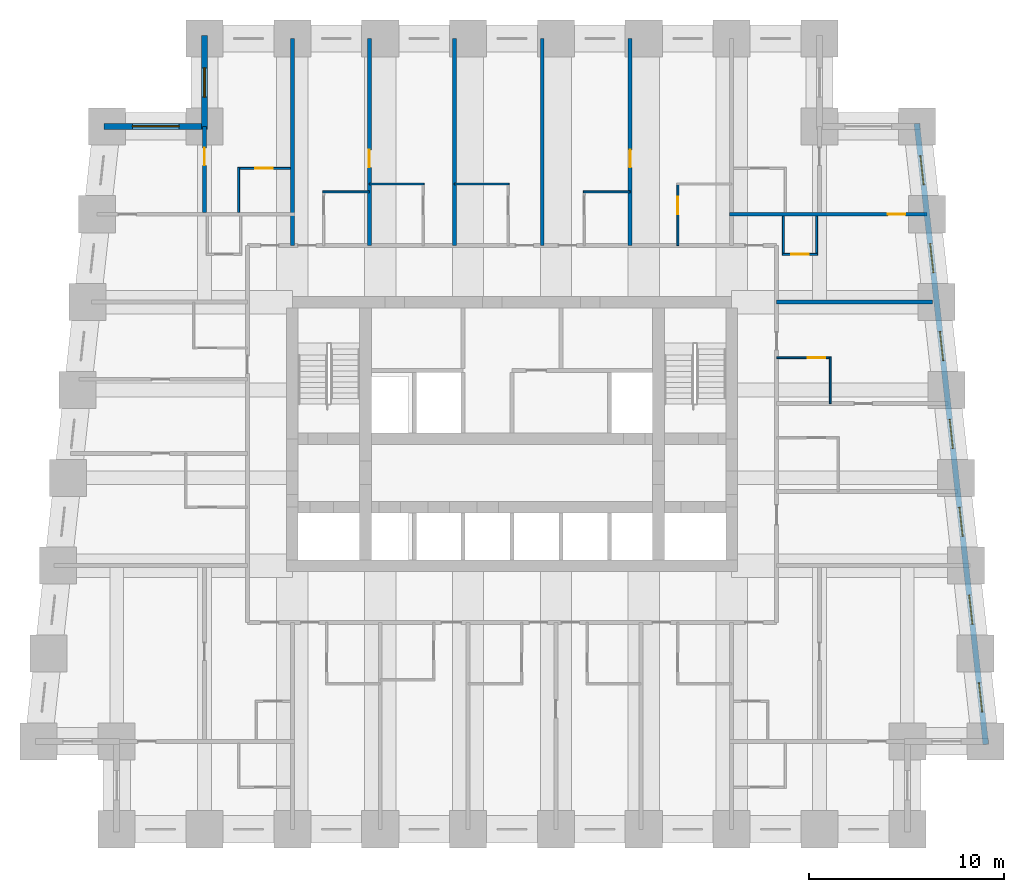
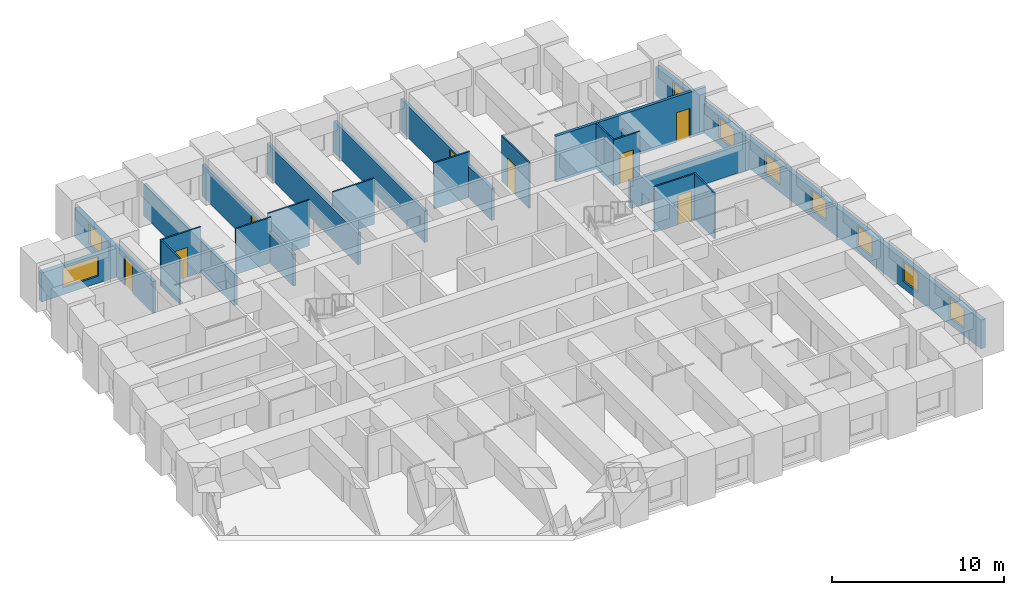
# One storey, part 6 of 8: 23 walls, 9 windows, 8 doors, 17 openings.
"""IFC4 building model written with IfcOpenShell, lengths in metres."""

from ifc_helpers import new_model, si_unit, direction, frame, frame_2d, origin, place, context, subcontext, project, spatial, rectangle, extrude, material, layer, layer_set, type_object, element, fill, save


model = new_model("IFC4")

# Units and contexts
model_context = context("Model", 3, precision=1e-05, world=origin(), true_north=direction((0.0, 1.0)))
body_context = subcontext(model_context, "Body", "Model", "MODEL_VIEW")
ifc_project = project(units=[si_unit("LENGTHUNIT", "METRE"), si_unit("AREAUNIT", "SQUARE_METRE"), si_unit("VOLUMEUNIT", "CUBIC_METRE"), si_unit("PLANEANGLEUNIT", "RADIAN"), si_unit("MASSUNIT", "GRAM", prefix="KILO")], contexts=[model_context])

# Site, building, storey
site_placement = place(None, origin())
site = spatial("IfcSite", under=ifc_project, at=site_placement, CompositionType="ELEMENT")
building_placement = place(site_placement, origin())
building = spatial("IfcBuilding", under=site, at=building_placement, Name="Kilele Tower Hotel", CompositionType="ELEMENT")
storey_placement = place(building_placement, frame((0.0, 0.0, 61.199951171875)))
storey = spatial("IfcBuildingStorey", under=building, at=storey_placement, Name="L14", CompositionType="ELEMENT", Elevation=61.199951171875)

# Wall
ifc_material_1 = material(Name="Moisture-resistant board")
ifc_layer_1 = layer(ifc_material_1, 0.10009765625)
ifc_layer_set_1 = layer_set([ifc_layer_1], Name="Moisture-resistant board")
wall_type_1 = type_object("IfcWallType", Name="Bathroom partition 100", PredefinedType="PLUMBINGWALL", material=ifc_layer_set_1)
wall_1_placement = place(storey_placement, frame((41.050048828125, 21.800048828125, 0.0), z_axis=(0.0, 0.0, 1.0), x_axis=(0.0, 1.0, 0.0)))
element("IfcWall", 1, at=wall_1_placement, inside=storey, type_object=wall_type_1, Name="Bathroom partition 100 L14", PredefinedType="PLUMBINGWALL", context=body_context, shape_type="SweptSolid", body=[
    extrude(rectangle(XDim=2.39990234375, YDim=0.10009765625, at=frame_2d((1.199951171875, 0.0))), origin(), (0.0, 0.0, 1.0), 3.25),
])

# Wall, opening, door
wall_2_placement = place(storey_placement, frame((38.300048828125, 24.14990234375, 0.0), z_axis=(0.0, 0.0, 1.0), x_axis=(1.0, 0.0, 0.0)))
wall_2 = element("IfcWall", 2, at=wall_2_placement, inside=storey, type_object=wall_type_1, Name="Bathroom partition 100 L14", PredefinedType="PLUMBINGWALL", context=body_context, shape_type="SweptSolid", body=[
    extrude(rectangle(XDim=2.800048828125, YDim=0.10009765625, at=frame_2d((1.39990234375, 0.0))), origin(), (0.0, 0.0, 1.0), 3.25),
])
opening_1_placement = place(wall_2_placement, frame((1.60009765625, 0.0, 0.0)))
opening_1 = element("IfcOpeningElement", 3, at=opening_1_placement, cuts=wall_2, Name="Opening D2A", PredefinedType="OPENING", context=body_context, shape_type="SweptSolid", body=[
    extrude(rectangle(XDim=0.89990234375, YDim=2.10009765625, at=frame_2d((0.449951171875, 1.050048828125))), frame((0.0, 0.06005859375, 0.0), z_axis=(0.0, -1.0, 0.0), x_axis=(1.0, 0.0, 0.0)), (0.0, 0.0, 1.0), 0.1201171875),
])
ifc_material_2 = material(Name="Timber door leaf in hardwood frame", Category="wood")
door_type_1 = type_object("IfcDoorType", Name="Bathroom door 900", OperationType="SINGLE_SWING_LEFT", PredefinedType="DOOR", material=ifc_material_2)
door_1_placement = place(opening_1_placement, origin())
door_1 = element("IfcDoor", 4, at=door_1_placement, inside=storey, type_object=door_type_1, Name="Bathroom door 1408B", OperationType="SINGLE_SWING_LEFT", OverallHeight=2.10009765625, OverallWidth=0.89990234375, PredefinedType="DOOR", context=body_context, shape_type="SweptSolid", body=[
    extrude(rectangle(XDim=0.89990234375, YDim=2.10009765625, at=frame_2d((0.449951171875, 1.050048828125))), frame((0.0, 0.02490234375, 0.0), z_axis=(0.0, -1.0, 0.0), x_axis=(1.0, 0.0, 0.0)), (0.0, 0.0, 1.0), 0.050048828125),
])
fill(opening_1, door_1)

# Walls
wall_3_placement = place(storey_placement, frame((15.050048828125, 32.64990234375, 0.0), z_axis=(0.0, 0.0, 1.0), x_axis=(1.0, 0.0, 0.0)))
element("IfcWall", 5, at=wall_3_placement, inside=storey, type_object=wall_type_1, Name="Bathroom partition 100 L14", PredefinedType="PLUMBINGWALL", context=body_context, shape_type="SweptSolid", body=[
    extrude(rectangle(XDim=2.39990234375, YDim=0.10009765625, at=frame_2d((1.199951171875, 0.0))), origin(), (0.0, 0.0, 1.0), 3.25),
])
for number, where, z_axis, x_axis, name in (
    (6, (17.449951171875, 33.050048828125, 0.0), (0.0, 0.0, 1.0), (1.0, 0.0, 0.0), "Bathroom partition 100 L14"),
    (7, (21.800048828125, 33.050048828125, 0.0), (0.0, 0.0, 1.0), (1.0, 0.0, 0.0), "Bathroom partition 100 L14"),
):
    element("IfcWall", number, at=place(storey_placement, frame(where, z_axis=z_axis, x_axis=x_axis)), inside=storey, type_object=wall_type_1, Name=name, PredefinedType="PLUMBINGWALL", context=body_context, shape_type="SweptSolid", body=[
        extrude(rectangle(XDim=2.800048828125, YDim=0.10009765625, at=frame_2d((1.39990234375, 0.0))), origin(), (0.0, 0.0, 1.0), 3.25),
    ])
wall_4_placement = place(storey_placement, frame((28.39990234375, 32.64990234375, 0.0), z_axis=(0.0, 0.0, 1.0), x_axis=(1.0, 0.0, 0.0)))
element("IfcWall", 8, at=wall_4_placement, inside=storey, type_object=wall_type_1, Name="Bathroom partition 100 L14", PredefinedType="PLUMBINGWALL", context=body_context, shape_type="SweptSolid", body=[
    extrude(rectangle(XDim=2.400146484375, YDim=0.10009765625, at=frame_2d((1.2001953125, 0.0))), origin(), (0.0, 0.0, 1.0), 3.25),
])

# Wall, opening, door
wall_5_placement = place(storey_placement, frame((33.25, 29.89990234375, 0.0), z_axis=(0.0, 0.0, 1.0), x_axis=(0.0, 1.0, 0.0)))
wall_5 = element("IfcWall", 9, at=wall_5_placement, inside=storey, type_object=wall_type_1, Name="Bathroom partition 100 L14", PredefinedType="PLUMBINGWALL", context=body_context, shape_type="SweptSolid", body=[
    extrude(rectangle(XDim=3.2001953125, YDim=0.10009765625, at=frame_2d((1.60009765625, 0.0))), origin(), (0.0, 0.0, 1.0), 3.25),
])
opening_2_placement = place(wall_5_placement, frame((1.60009765625, 0.0, 0.0)))
opening_2 = element("IfcOpeningElement", 10, at=opening_2_placement, cuts=wall_5, Name="Opening D2A", PredefinedType="OPENING", context=body_context, shape_type="SweptSolid", body=[
    extrude(rectangle(XDim=0.89990234375, YDim=2.10009765625, at=frame_2d((0.449951171875, 1.050048828125))), frame((0.0, 0.06005859375, 0.0), z_axis=(0.0, -1.0, 0.0), x_axis=(1.0, 0.0, 0.0)), (0.0, 0.0, 1.0), 0.1201171875),
])
door_2_placement = place(opening_2_placement, origin())
door_2 = element("IfcDoor", 11, at=door_2_placement, inside=storey, type_object=door_type_1, Name="Bathroom door 1413B", OperationType="SINGLE_SWING_LEFT", OverallHeight=2.10009765625, OverallWidth=0.89990234375, PredefinedType="DOOR", context=body_context, shape_type="SweptSolid", body=[
    extrude(rectangle(XDim=0.89990234375, YDim=2.10009765625, at=frame_2d((0.449951171875, 1.050048828125))), frame((0.0, 0.02490234375, 0.0), z_axis=(0.0, -1.0, 0.0), x_axis=(1.0, 0.0, 0.0)), (0.0, 0.0, 1.0), 0.050048828125),
])
fill(opening_2, door_2)

# Walls
wall_6_placement = place(storey_placement, frame((40.35009765625, 31.39990234375, 0.0), z_axis=(0.0, 0.0, 1.0), x_axis=(0.0, -1.0, 0.0)))
element("IfcWall", 12, at=wall_6_placement, inside=storey, type_object=wall_type_1, Name="Bathroom partition 100 L14", PredefinedType="PLUMBINGWALL", context=body_context, shape_type="SweptSolid", body=[
    extrude(rectangle(XDim=2.0, YDim=0.10009765625, at=frame_2d((1.0, 0.0))), origin(), (0.0, 0.0, 1.0), 2.25),
])
wall_7_placement = place(storey_placement, frame((38.64990234375, 31.39990234375, 0.0), z_axis=(0.0, 0.0, 1.0), x_axis=(0.0, -1.0, 0.0)))
element("IfcWall", 13, at=wall_7_placement, inside=storey, type_object=wall_type_1, Name="Bathroom partition 100 L14", PredefinedType="PLUMBINGWALL", context=body_context, shape_type="SweptSolid", body=[
    extrude(rectangle(XDim=2.0, YDim=0.10009765625, at=frame_2d((1.0, 0.0))), origin(), (0.0, 0.0, 1.0), 3.25),
])

# Wall, opening, door
wall_8_placement = place(storey_placement, frame((38.60009765625, 29.449951171875, 0.0), z_axis=(0.0, 0.0, 1.0), x_axis=(1.0, 0.0, 0.0)))
wall_8 = element("IfcWall", 14, at=wall_8_placement, inside=storey, type_object=wall_type_1, Name="Bathroom partition 100 L14", PredefinedType="PLUMBINGWALL", context=body_context, shape_type="SweptSolid", body=[
    extrude(rectangle(XDim=1.7998046875, YDim=0.10009765625, at=frame_2d((0.89990234375, 0.0))), origin(), (0.0, 0.0, 1.0), 3.25),
])
opening_3_placement = place(wall_8_placement, frame((1.349853515625, 0.0, 0.0), z_axis=(0.0, 0.0, 1.0), x_axis=(-1.0, 0.0, 0.0)))
opening_3 = element("IfcOpeningElement", 15, at=opening_3_placement, cuts=wall_8, Name="Opening D2A", PredefinedType="OPENING", context=body_context, shape_type="SweptSolid", body=[
    extrude(rectangle(XDim=0.89990234375, YDim=2.10009765625, at=frame_2d((0.449951171875, 1.050048828125))), frame((0.0, 0.06005859375, 0.0), z_axis=(0.0, -1.0, 0.0), x_axis=(1.0, 0.0, 0.0)), (0.0, 0.0, 1.0), 0.1201171875),
])
door_3_placement = place(opening_3_placement, origin())
door_3 = element("IfcDoor", 16, at=door_3_placement, inside=storey, type_object=door_type_1, Name="Bathroom door 1423P", OperationType="SINGLE_SWING_RIGHT", OverallHeight=2.10009765625, OverallWidth=0.89990234375, PredefinedType="DOOR", context=body_context, shape_type="SweptSolid", body=[
    extrude(rectangle(XDim=0.89990234375, YDim=2.10009765625, at=frame_2d((0.449951171875, 1.050048828125))), frame((0.0, 0.02490234375, 0.0), z_axis=(0.0, -1.0, 0.0), x_axis=(1.0, 0.0, 0.0)), (0.0, 0.0, 1.0), 0.050048828125),
])
fill(opening_3, door_3)

# Wall
wall_9_placement = place(storey_placement, frame((10.75, 31.60009765625, 0.0), z_axis=(0.0, 0.0, 1.0), x_axis=(0.0, 1.0, 0.0)))
element("IfcWall", 17, at=wall_9_placement, inside=storey, type_object=wall_type_1, Name="Bathroom partition 100 L14", PredefinedType="PLUMBINGWALL", context=body_context, shape_type="SweptSolid", body=[
    extrude(rectangle(XDim=2.2998046875, YDim=0.10009765625, at=frame_2d((1.14990234375, 0.0))), origin(), (0.0, 0.0, 1.0), 3.25),
])

# Wall, opening, door
wall_10_placement = place(storey_placement, frame((13.39990234375, 33.85009765625, 0.0), z_axis=(0.0, 0.0, 1.0), x_axis=(-1.0, 0.0, 0.0)))
wall_10 = element("IfcWall", 18, at=wall_10_placement, inside=storey, type_object=wall_type_1, Name="Bathroom partition 100 L14", PredefinedType="PLUMBINGWALL", context=body_context, shape_type="SweptSolid", body=[
    extrude(rectangle(XDim=2.699951171875, YDim=0.10009765625, at=frame_2d((1.35009765625, 0.0))), origin(), (0.0, 0.0, 1.0), 3.25),
])
opening_4_placement = place(wall_10_placement, frame((1.7998046875, 0.0, 0.0), z_axis=(0.0, 0.0, 1.0), x_axis=(-1.0, 0.0, 0.0)))
opening_4 = element("IfcOpeningElement", 19, at=opening_4_placement, cuts=wall_10, Name="Opening D2A", PredefinedType="OPENING", context=body_context, shape_type="SweptSolid", body=[
    extrude(rectangle(XDim=0.89990234375, YDim=2.10009765625, at=frame_2d((0.449951171875, 1.050048828125))), frame((0.0, 0.06005859375, 0.0), z_axis=(0.0, -1.0, 0.0), x_axis=(1.0, 0.0, 0.0)), (0.0, 0.0, 1.0), 0.1201171875),
])
door_4_placement = place(opening_4_placement, origin())
door_4 = element("IfcDoor", 20, at=door_4_placement, inside=storey, type_object=door_type_1, Name="Bathroom door 1427B", OperationType="SINGLE_SWING_RIGHT", OverallHeight=2.10009765625, OverallWidth=0.89990234375, PredefinedType="DOOR", context=body_context, shape_type="SweptSolid", body=[
    extrude(rectangle(XDim=0.89990234375, YDim=2.10009765625, at=frame_2d((0.449951171875, 1.050048828125))), frame((0.0, 0.02490234375, 0.0), z_axis=(0.0, -1.0, 0.0), x_axis=(1.0, 0.0, 0.0)), (0.0, 0.0, 1.0), 0.050048828125),
])
fill(opening_4, door_4)

ifc_material_3 = material(Name="Blockwork, plastered both sides", Category="masonry")
ifc_layer_2 = layer(ifc_material_3, 0.199951171875)
ifc_layer_set_2 = layer_set([ifc_layer_2], Name="Blockwork, plastered both sides")
wall_type_2 = type_object("IfcWallType", Name="Partition wall 200", PredefinedType="PARTITIONING", material=ifc_layer_set_2)
wall_11_placement = place(storey_placement, frame((9.0, 31.60009765625, 0.0), z_axis=(0.0, 0.0, 1.0), x_axis=(0.0, 1.0, 0.0)))
wall_11 = element("IfcWall", 21, at=wall_11_placement, inside=storey, type_object=wall_type_2, Name="Partition wall 200 L14", PredefinedType="PARTITIONING", context=body_context, shape_type="SweptSolid", body=[
    extrude(rectangle(XDim=4.39990234375, YDim=0.199951171875, at=frame_2d((2.199951171875, 0.0))), origin(), (0.0, 0.0, 1.0), 2.25),
])
opening_5_placement = place(wall_11_placement, frame((2.39990234375, 0.0, 0.0)))
opening_5 = element("IfcOpeningElement", 22, at=opening_5_placement, cuts=wall_11, Name="Opening D3", PredefinedType="OPENING", context=body_context, shape_type="SweptSolid", body=[
    extrude(rectangle(XDim=0.89990234375, YDim=2.10009765625, at=frame_2d((0.449951171875, 1.050048828125))), frame((0.0, 0.10986328125, 0.0), z_axis=(0.0, -1.0, 0.0), x_axis=(1.0, 0.0, 0.0)), (0.0, 0.0, 1.0), 0.219970703125),
])
ifc_material_4 = material(Name="Timber door leaf in hardwood frame", Category="wood")
door_type_2 = type_object("IfcDoorType", Name="Suite internal door 900", OperationType="SINGLE_SWING_LEFT", PredefinedType="DOOR", material=ifc_material_4)
door_5_placement = place(opening_5_placement, origin())
door_5 = element("IfcDoor", 23, at=door_5_placement, inside=storey, type_object=door_type_2, Name="Suite door 1428", OperationType="SINGLE_SWING_RIGHT", OverallHeight=2.10009765625, OverallWidth=0.89990234375, PredefinedType="DOOR", context=body_context, shape_type="SweptSolid", body=[
    extrude(rectangle(XDim=0.89990234375, YDim=2.10009765625, at=frame_2d((0.449951171875, 1.050048828125))), frame((0.0, 0.02490234375, 0.0), z_axis=(0.0, -1.0, 0.0), x_axis=(1.0, 0.0, 0.0)), (0.0, 0.0, 1.0), 0.050048828125),
])
fill(opening_5, door_5)

ifc_material_5 = material(Name="Blockwork, plastered both sides", Category="masonry")
ifc_layer_3 = layer(ifc_material_5, 0.199951171875)
ifc_layer_set_3 = layer_set([ifc_layer_3], Name="Blockwork, plastered both sides")
wall_type_3 = type_object("IfcWallType", Name="Party wall 200", PredefinedType="PARTITIONING", material=ifc_layer_set_3)
wall_12_placement = place(storey_placement, frame((17.449951171875, 29.89990234375, 0.0), z_axis=(0.0, 0.0, 1.0), x_axis=(0.0, 1.0, 0.0)))
wall_12 = element("IfcWall", 24, at=wall_12_placement, inside=storey, type_object=wall_type_3, Name="Party wall 200 L14", PredefinedType="PARTITIONING", context=body_context, shape_type="SweptSolid", body=[
    extrude(rectangle(XDim=10.60009765625, YDim=0.199951171875, at=frame_2d((5.300048828125, 0.0))), origin(), (0.0, 0.0, 1.0), 2.25),
])
opening_6_placement = place(wall_12_placement, frame((4.89990234375, 0.0, 0.0), z_axis=(0.0, 0.0, 1.0), x_axis=(-1.0, 0.0, 0.0)))
opening_6 = element("IfcOpeningElement", 25, at=opening_6_placement, cuts=wall_12, Name="Opening D3", PredefinedType="OPENING", context=body_context, shape_type="SweptSolid", body=[
    extrude(rectangle(XDim=0.89990234375, YDim=2.10009765625, at=frame_2d((0.449951171875, 1.050048828125))), frame((0.0, 0.10986328125, 0.0), z_axis=(0.0, -1.0, 0.0), x_axis=(1.0, 0.0, 0.0)), (0.0, 0.0, 1.0), 0.219970703125),
])
door_6_placement = place(opening_6_placement, origin())
door_6 = element("IfcDoor", 26, at=door_6_placement, inside=storey, type_object=door_type_2, Name="Suite door 1410", OperationType="SINGLE_SWING_RIGHT", OverallHeight=2.10009765625, OverallWidth=0.89990234375, PredefinedType="DOOR", context=body_context, shape_type="SweptSolid", body=[
    extrude(rectangle(XDim=0.89990234375, YDim=2.10009765625, at=frame_2d((0.449951171875, 1.050048828125))), frame((0.0, 0.02490234375, 0.0), z_axis=(0.0, -1.0, 0.0), x_axis=(1.0, 0.0, 0.0)), (0.0, 0.0, 1.0), 0.050048828125),
])
fill(opening_6, door_6)

# Walls
for number, where, z_axis, x_axis, name in (
    (27, (21.800048828125, 29.89990234375, 0.0), (0.0, 0.0, 1.0), (0.0, 1.0, 0.0), "Party wall 200 L14"),
    (28, (26.300048828125, 29.89990234375, 0.0), (0.0, 0.0, 1.0), (0.0, 1.0, 0.0), "Party wall 200 L14"),
):
    element("IfcWall", number, at=place(storey_placement, frame(where, z_axis=z_axis, x_axis=x_axis)), inside=storey, type_object=wall_type_3, Name=name, PredefinedType="PARTITIONING", context=body_context, shape_type="SweptSolid", body=[
        extrude(rectangle(XDim=10.60009765625, YDim=0.199951171875, at=frame_2d((5.300048828125, 0.0))), origin(), (0.0, 0.0, 1.0), 2.25),
    ])

# Wall, opening, door
wall_13_placement = place(storey_placement, frame((30.800048828125, 29.89990234375, 0.0), z_axis=(0.0, 0.0, 1.0), x_axis=(0.0, 1.0, 0.0)))
wall_13 = element("IfcWall", 29, at=wall_13_placement, inside=storey, type_object=wall_type_3, Name="Party wall 200 L14", PredefinedType="PARTITIONING", context=body_context, shape_type="SweptSolid", body=[
    extrude(rectangle(XDim=10.60009765625, YDim=0.199951171875, at=frame_2d((5.300048828125, 0.0))), origin(), (0.0, 0.0, 1.0), 2.25),
])
opening_7_placement = place(wall_13_placement, frame((4.0, 0.0, 0.0)))
opening_7 = element("IfcOpeningElement", 30, at=opening_7_placement, cuts=wall_13, Name="Opening D3", PredefinedType="OPENING", context=body_context, shape_type="SweptSolid", body=[
    extrude(rectangle(XDim=0.89990234375, YDim=2.10009765625, at=frame_2d((0.449951171875, 1.050048828125))), frame((0.0, 0.10986328125, 0.0), z_axis=(0.0, -1.0, 0.0), x_axis=(1.0, 0.0, 0.0)), (0.0, 0.0, 1.0), 0.219970703125),
])
door_7_placement = place(opening_7_placement, origin())
door_7 = element("IfcDoor", 31, at=door_7_placement, inside=storey, type_object=door_type_2, Name="Suite door 1413", OperationType="SINGLE_SWING_LEFT", OverallHeight=2.10009765625, OverallWidth=0.89990234375, PredefinedType="DOOR", context=body_context, shape_type="SweptSolid", body=[
    extrude(rectangle(XDim=0.89990234375, YDim=2.10009765625, at=frame_2d((0.449951171875, 1.050048828125))), frame((0.0, 0.02490234375, 0.0), z_axis=(0.0, -1.0, 0.0), x_axis=(1.0, 0.0, 0.0)), (0.0, 0.0, 1.0), 0.050048828125),
])
fill(opening_7, door_7)

# Wall
wall_14_placement = place(storey_placement, frame((38.300048828125, 27.0, 0.0), z_axis=(0.0, 0.0, 1.0), x_axis=(1.0, 0.0, 0.0)))
element("IfcWall", 32, at=wall_14_placement, inside=storey, type_object=wall_type_3, Name="Party wall 200 L14", PredefinedType="PARTITIONING", context=body_context, shape_type="SweptSolid", body=[
    extrude(rectangle(XDim=7.976806640625, YDim=0.199951171875, at=frame_2d((3.98828125, 0.0))), origin(), (0.0, 0.0, 1.0), 1.949951171875),
])

# Wall, opening, door
wall_15_placement = place(storey_placement, frame((35.89990234375, 31.5, 0.0), z_axis=(0.0, 0.0, 1.0), x_axis=(1.0, 0.0, 0.0)))
wall_15 = element("IfcWall", 33, at=wall_15_placement, inside=storey, type_object=wall_type_3, Name="Party wall 200 L14", PredefinedType="PARTITIONING", context=body_context, shape_type="SweptSolid", body=[
    extrude(rectangle(XDim=10.09912109375, YDim=0.199951171875, at=frame_2d((5.049560546875, 0.0))), origin(), (0.0, 0.0, 1.0), 3.25),
])
opening_8_placement = place(wall_15_placement, frame((8.09912109375, 0.0, 0.0)))
opening_8 = element("IfcOpeningElement", 34, at=opening_8_placement, cuts=wall_15, Name="Opening D3", PredefinedType="OPENING", context=body_context, shape_type="SweptSolid", body=[
    extrude(rectangle(XDim=0.89990234375, YDim=2.10009765625, at=frame_2d((0.449951171875, 1.050048828125))), frame((0.0, 0.10986328125, 0.0), z_axis=(0.0, -1.0, 0.0), x_axis=(1.0, 0.0, 0.0)), (0.0, 0.0, 1.0), 0.219970703125),
])
door_8_placement = place(opening_8_placement, origin())
door_8 = element("IfcDoor", 35, at=door_8_placement, inside=storey, type_object=door_type_2, Name="Suite door 1424", OperationType="SINGLE_SWING_RIGHT", OverallHeight=2.10009765625, OverallWidth=0.89990234375, PredefinedType="DOOR", context=body_context, shape_type="SweptSolid", body=[
    extrude(rectangle(XDim=0.89990234375, YDim=2.10009765625, at=frame_2d((0.449951171875, 1.050048828125))), frame((0.0, 0.02490234375, 0.0), z_axis=(0.0, -1.0, 0.0), x_axis=(1.0, 0.0, 0.0)), (0.0, 0.0, 1.0), 0.050048828125),
])
fill(opening_8, door_8)

# Wall
wall_16_placement = place(storey_placement, frame((13.5, 29.89990234375, 0.0), z_axis=(0.0, 0.0, 1.0), x_axis=(0.0, 1.0, 0.0)))
element("IfcWall", 36, at=wall_16_placement, inside=storey, type_object=wall_type_3, Name="Party wall 200 L14", PredefinedType="PARTITIONING", context=body_context, shape_type="SweptSolid", body=[
    extrude(rectangle(XDim=10.60009765625, YDim=0.199951171875, at=frame_2d((5.300048828125, 0.0))), origin(), (0.0, 0.0, 1.0), 2.25),
])

# Wall, openings, windows
ifc_material_6 = material(Name="Concrete C40/50 precast", Category="concrete")
ifc_layer_4 = layer(ifc_material_6, 0.260009765625, Name="Precast backing", Category="LoadBearing")
ifc_material_7 = material(Name="Reconstituted stone finish", Category="masonry")
ifc_layer_5 = layer(ifc_material_7, 0.0400390625, Name="Face mix", Category="Finish")
ifc_layer_set_4 = layer_set([ifc_layer_4, ifc_layer_5], Name="Precast concrete C40/50, reconstituted stone finish")
wall_type_4 = type_object("IfcWallType", Name="Precast stone facade wall 300", PredefinedType="STANDARD", material=ifc_layer_set_4)
wall_17_placement = place(storey_placement, frame((49.0166015625, 4.350830078125, 0.0), z_axis=(0.0, 0.0, 1.0), x_axis=(-0.110433201132, 0.993883548555, 0.0)))
wall_17 = element("IfcWall", 37, at=wall_17_placement, inside=storey, type_object=wall_type_4, Name="Facade wall L14 edge 6", PredefinedType="STANDARD", context=body_context, shape_type="SweptSolid", body=[
    extrude(rectangle(XDim=31.994140625, YDim=0.300048828125, at=frame_2d((15.9970703125, 0.0))), origin(), (0.0, 0.0, 1.0), 2.050048828125),
])
opening_9_placement = place(wall_17_placement, frame((1.6640625, 0.0, 0.5)))
opening_9 = element("IfcOpeningElement", 38, at=opening_9_placement, cuts=wall_17, Name="Opening W1", PredefinedType="OPENING", context=body_context, shape_type="SweptSolid", body=[
    extrude(rectangle(XDim=1.5, YDim=1.39990234375, at=frame_2d((0.75, 0.699951171875))), frame((0.0, 0.159912109375, 0.0), z_axis=(0.0, -1.0, 0.0), x_axis=(1.0, 0.0, 0.0)), (0.0, 0.0, 1.0), 0.320068359375),
])
opening_10_placement = place(wall_17_placement, frame((6.19189453125, 0.0, 0.5)))
opening_10 = element("IfcOpeningElement", 39, at=opening_10_placement, cuts=wall_17, Name="Opening W1", PredefinedType="OPENING", context=body_context, shape_type="SweptSolid", body=[
    extrude(rectangle(XDim=1.5, YDim=1.39990234375, at=frame_2d((0.75, 0.699951171875))), frame((0.0, 0.159912109375, 0.0), z_axis=(0.0, -1.0, 0.0), x_axis=(1.0, 0.0, 0.0)), (0.0, 0.0, 1.0), 0.320068359375),
])
opening_11_placement = place(wall_17_placement, frame((10.718994140625, 0.0, 0.5)))
opening_11 = element("IfcOpeningElement", 40, at=opening_11_placement, cuts=wall_17, Name="Opening W1", PredefinedType="OPENING", context=body_context, shape_type="SweptSolid", body=[
    extrude(rectangle(XDim=1.5, YDim=1.39990234375, at=frame_2d((0.75, 0.699951171875))), frame((0.0, 0.159912109375, 0.0), z_axis=(0.0, -1.0, 0.0), x_axis=(1.0, 0.0, 0.0)), (0.0, 0.0, 1.0), 0.320068359375),
])
opening_12_placement = place(wall_17_placement, frame((15.2470703125, 0.0, 0.5)))
opening_12 = element("IfcOpeningElement", 41, at=opening_12_placement, cuts=wall_17, Name="Opening W1", PredefinedType="OPENING", context=body_context, shape_type="SweptSolid", body=[
    extrude(rectangle(XDim=1.5, YDim=1.39990234375, at=frame_2d((0.75, 0.699951171875))), frame((0.0, 0.159912109375, 0.0), z_axis=(0.0, -1.0, 0.0), x_axis=(1.0, 0.0, 0.0)), (0.0, 0.0, 1.0), 0.320068359375),
])
opening_13_placement = place(wall_17_placement, frame((19.77490234375, 0.0, 0.5)))
opening_13 = element("IfcOpeningElement", 42, at=opening_13_placement, cuts=wall_17, Name="Opening W1", PredefinedType="OPENING", context=body_context, shape_type="SweptSolid", body=[
    extrude(rectangle(XDim=1.5, YDim=1.39990234375, at=frame_2d((0.75, 0.699951171875))), frame((0.0, 0.159912109375, 0.0), z_axis=(0.0, -1.0, 0.0), x_axis=(1.0, 0.0, 0.0)), (0.0, 0.0, 1.0), 0.320068359375),
])
opening_14_placement = place(wall_17_placement, frame((24.302001953125, 0.0, 0.5)))
opening_14 = element("IfcOpeningElement", 43, at=opening_14_placement, cuts=wall_17, Name="Opening W1", PredefinedType="OPENING", context=body_context, shape_type="SweptSolid", body=[
    extrude(rectangle(XDim=1.5, YDim=1.39990234375, at=frame_2d((0.75, 0.699951171875))), frame((0.0, 0.159912109375, 0.0), z_axis=(0.0, -1.0, 0.0), x_axis=(1.0, 0.0, 0.0)), (0.0, 0.0, 1.0), 0.320068359375),
])
opening_15_placement = place(wall_17_placement, frame((28.830078125, 0.0, 0.5)))
opening_15 = element("IfcOpeningElement", 44, at=opening_15_placement, cuts=wall_17, Name="Opening W1", PredefinedType="OPENING", context=body_context, shape_type="SweptSolid", body=[
    extrude(rectangle(XDim=1.5, YDim=1.39990234375, at=frame_2d((0.75, 0.699951171875))), frame((0.0, 0.159912109375, 0.0), z_axis=(0.0, -1.0, 0.0), x_axis=(1.0, 0.0, 0.0)), (0.0, 0.0, 1.0), 0.320068359375),
])
ifc_material_8 = material(Name="Aluminium frame, clear double glazing", Category="aluminium")
window_type_1 = type_object("IfcWindowType", Name="Window W1 1500 x 1400", PartitioningType="SINGLE_PANEL", PredefinedType="WINDOW", material=ifc_material_8)
window_1_placement = place(opening_9_placement, origin())
window_1 = element("IfcWindow", 45, at=window_1_placement, inside=storey, type_object=window_type_1, Name="Window L14", OverallHeight=1.39990234375, OverallWidth=1.5, PartitioningType="SINGLE_PANEL", PredefinedType="WINDOW", context=body_context, shape_type="SweptSolid", body=[
    extrude(rectangle(XDim=1.5, YDim=1.39990234375, at=frame_2d((0.75, 0.699951171875))), frame((0.0, 0.030029296875, 0.0), z_axis=(0.0, -1.0, 0.0), x_axis=(1.0, 0.0, 0.0)), (0.0, 0.0, 1.0), 0.06005859375),
])
fill(opening_9, window_1)
window_2_placement = place(opening_10_placement, origin())
window_2 = element("IfcWindow", 46, at=window_2_placement, inside=storey, type_object=window_type_1, Name="Window L14", OverallHeight=1.39990234375, OverallWidth=1.5, PartitioningType="SINGLE_PANEL", PredefinedType="WINDOW", context=body_context, shape_type="SweptSolid", body=[
    extrude(rectangle(XDim=1.5, YDim=1.39990234375, at=frame_2d((0.75, 0.699951171875))), frame((0.0, 0.030029296875, 0.0), z_axis=(0.0, -1.0, 0.0), x_axis=(1.0, 0.0, 0.0)), (0.0, 0.0, 1.0), 0.06005859375),
])
fill(opening_10, window_2)
window_3_placement = place(opening_11_placement, origin())
window_3 = element("IfcWindow", 47, at=window_3_placement, inside=storey, type_object=window_type_1, Name="Window L14", OverallHeight=1.39990234375, OverallWidth=1.5, PartitioningType="SINGLE_PANEL", PredefinedType="WINDOW", context=body_context, shape_type="SweptSolid", body=[
    extrude(rectangle(XDim=1.5, YDim=1.39990234375, at=frame_2d((0.75, 0.699951171875))), frame((0.0, 0.030029296875, 0.0), z_axis=(0.0, -1.0, 0.0), x_axis=(1.0, 0.0, 0.0)), (0.0, 0.0, 1.0), 0.06005859375),
])
fill(opening_11, window_3)
window_4_placement = place(opening_12_placement, origin())
window_4 = element("IfcWindow", 48, at=window_4_placement, inside=storey, type_object=window_type_1, Name="Window L14", OverallHeight=1.39990234375, OverallWidth=1.5, PartitioningType="SINGLE_PANEL", PredefinedType="WINDOW", context=body_context, shape_type="SweptSolid", body=[
    extrude(rectangle(XDim=1.5, YDim=1.39990234375, at=frame_2d((0.75, 0.699951171875))), frame((0.0, 0.030029296875, 0.0), z_axis=(0.0, -1.0, 0.0), x_axis=(1.0, 0.0, 0.0)), (0.0, 0.0, 1.0), 0.06005859375),
])
fill(opening_12, window_4)
window_5_placement = place(opening_13_placement, origin())
window_5 = element("IfcWindow", 49, at=window_5_placement, inside=storey, type_object=window_type_1, Name="Window L14", OverallHeight=1.39990234375, OverallWidth=1.5, PartitioningType="SINGLE_PANEL", PredefinedType="WINDOW", context=body_context, shape_type="SweptSolid", body=[
    extrude(rectangle(XDim=1.5, YDim=1.39990234375, at=frame_2d((0.75, 0.699951171875))), frame((0.0, 0.030029296875, 0.0), z_axis=(0.0, -1.0, 0.0), x_axis=(1.0, 0.0, 0.0)), (0.0, 0.0, 1.0), 0.06005859375),
])
fill(opening_13, window_5)
window_6_placement = place(opening_14_placement, origin())
window_6 = element("IfcWindow", 50, at=window_6_placement, inside=storey, type_object=window_type_1, Name="Window L14", OverallHeight=1.39990234375, OverallWidth=1.5, PartitioningType="SINGLE_PANEL", PredefinedType="WINDOW", context=body_context, shape_type="SweptSolid", body=[
    extrude(rectangle(XDim=1.5, YDim=1.39990234375, at=frame_2d((0.75, 0.699951171875))), frame((0.0, 0.030029296875, 0.0), z_axis=(0.0, -1.0, 0.0), x_axis=(1.0, 0.0, 0.0)), (0.0, 0.0, 1.0), 0.06005859375),
])
fill(opening_14, window_6)
window_7_placement = place(opening_15_placement, origin())
window_7 = element("IfcWindow", 51, at=window_7_placement, inside=storey, type_object=window_type_1, Name="Window L14", OverallHeight=1.39990234375, OverallWidth=1.5, PartitioningType="SINGLE_PANEL", PredefinedType="WINDOW", context=body_context, shape_type="SweptSolid", body=[
    extrude(rectangle(XDim=1.5, YDim=1.39990234375, at=frame_2d((0.75, 0.699951171875))), frame((0.0, 0.030029296875, 0.0), z_axis=(0.0, -1.0, 0.0), x_axis=(1.0, 0.0, 0.0)), (0.0, 0.0, 1.0), 0.06005859375),
])
fill(opening_15, window_7)

# Wall, opening, window
wall_18_placement = place(storey_placement, frame((9.0, 40.64990234375, 0.0), z_axis=(0.0, 0.0, 1.0), x_axis=(0.0, -1.0, 0.0)))
wall_18 = element("IfcWall", 52, at=wall_18_placement, inside=storey, type_object=wall_type_4, Name="Facade wall L14 edge 10", PredefinedType="STANDARD", context=body_context, shape_type="SweptSolid", body=[
    extrude(rectangle(XDim=4.7998046875, YDim=0.300048828125, at=frame_2d((2.39990234375, 0.0))), origin(), (0.0, 0.0, 1.0), 2.050048828125),
])
opening_16_placement = place(wall_18_placement, frame((1.64990234375, 0.0, 0.5)))
opening_16 = element("IfcOpeningElement", 53, at=opening_16_placement, cuts=wall_18, Name="Opening W1", PredefinedType="OPENING", context=body_context, shape_type="SweptSolid", body=[
    extrude(rectangle(XDim=1.5, YDim=1.39990234375, at=frame_2d((0.75, 0.699951171875))), frame((0.0, 0.159912109375, 0.0), z_axis=(0.0, -1.0, 0.0), x_axis=(1.0, 0.0, 0.0)), (0.0, 0.0, 1.0), 0.320068359375),
])
window_8_placement = place(opening_16_placement, origin())
window_8 = element("IfcWindow", 54, at=window_8_placement, inside=storey, type_object=window_type_1, Name="Window L14", OverallHeight=1.39990234375, OverallWidth=1.5, PartitioningType="SINGLE_PANEL", PredefinedType="WINDOW", context=body_context, shape_type="SweptSolid", body=[
    extrude(rectangle(XDim=1.5, YDim=1.39990234375, at=frame_2d((0.75, 0.699951171875))), frame((0.0, 0.030029296875, 0.0), z_axis=(0.0, -1.0, 0.0), x_axis=(1.0, 0.0, 0.0)), (0.0, 0.0, 1.0), 0.06005859375),
])
fill(opening_16, window_8)

wall_19_placement = place(storey_placement, frame((9.14990234375, 36.0, 0.0), z_axis=(0.0, 0.0, 1.0), x_axis=(-1.0, 0.0, 0.0)))
wall_19 = element("IfcWall", 55, at=wall_19_placement, inside=storey, type_object=wall_type_4, Name="Facade wall L14 edge 11", PredefinedType="STANDARD", context=body_context, shape_type="SweptSolid", body=[
    extrude(rectangle(XDim=5.2998046875, YDim=0.300048828125, at=frame_2d((2.64990234375, 0.0))), origin(), (0.0, 0.0, 1.0), 2.050048828125),
])
opening_17_placement = place(wall_19_placement, frame((1.449951171875, 0.0, 0.5)))
opening_17 = element("IfcOpeningElement", 56, at=opening_17_placement, cuts=wall_19, Name="Opening W1", PredefinedType="OPENING", context=body_context, shape_type="SweptSolid", body=[
    extrude(rectangle(XDim=2.39990234375, YDim=1.39990234375, at=frame_2d((1.199951171875, 0.699951171875))), frame((0.0, 0.159912109375, 0.0), z_axis=(0.0, -1.0, 0.0), x_axis=(1.0, 0.0, 0.0)), (0.0, 0.0, 1.0), 0.320068359375),
])
ifc_material_9 = material(Name="Aluminium frame, clear double glazing", Category="aluminium")
window_type_2 = type_object("IfcWindowType", Name="Window W1 2400 x 1400", PartitioningType="SINGLE_PANEL", PredefinedType="WINDOW", material=ifc_material_9)
window_9_placement = place(opening_17_placement, origin())
window_9 = element("IfcWindow", 57, at=window_9_placement, inside=storey, type_object=window_type_2, Name="Window L14", OverallHeight=1.39990234375, OverallWidth=2.39990234375, PartitioningType="SINGLE_PANEL", PredefinedType="WINDOW", context=body_context, shape_type="SweptSolid", body=[
    extrude(rectangle(XDim=2.39990234375, YDim=1.39990234375, at=frame_2d((1.199951171875, 0.699951171875))), frame((0.0, 0.030029296875, 0.0), z_axis=(0.0, -1.0, 0.0), x_axis=(1.0, 0.0, 0.0)), (0.0, 0.0, 1.0), 0.06005859375),
])
fill(opening_17, window_9)

save(model, "model.ifc")
